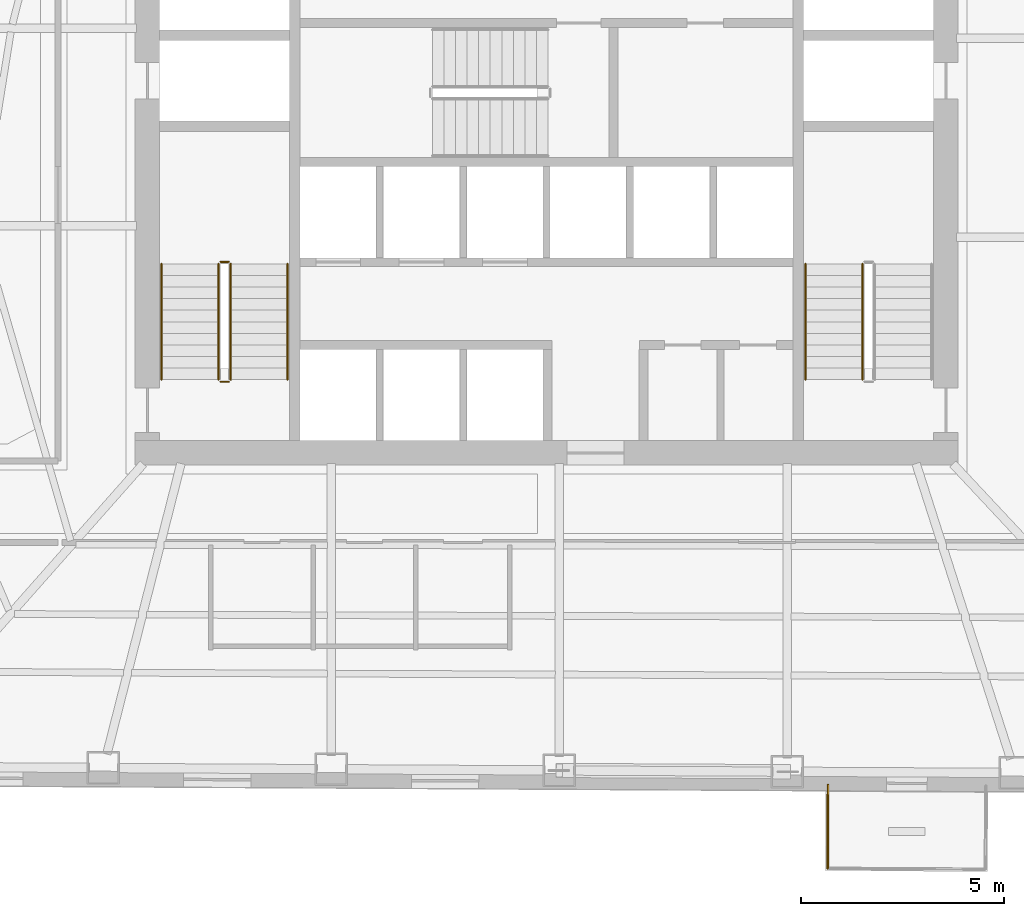
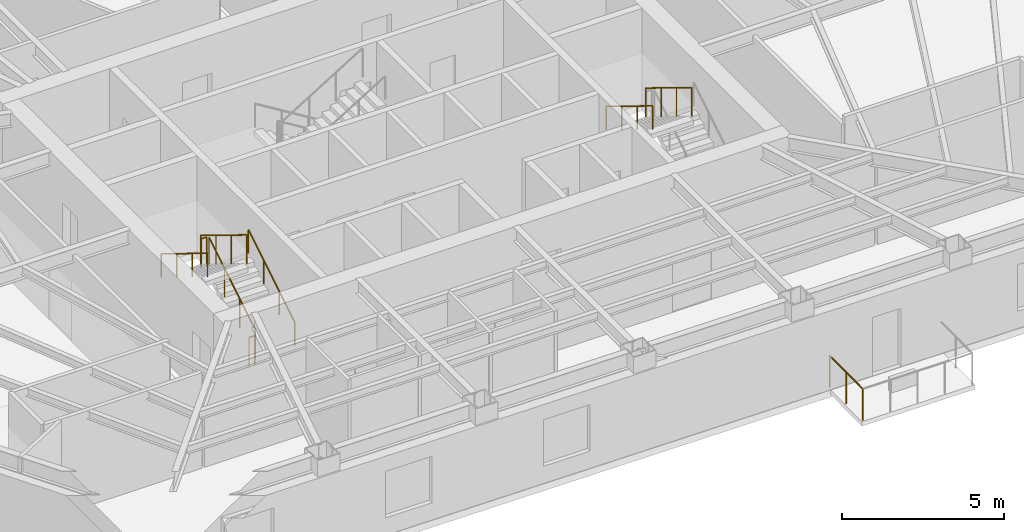
# One storey, part 9 of 12: 9 railings.
"""IFC4 building model written with IfcOpenShell, lengths in metres."""

from ifc_helpers import new_model, si_unit, direction, frame, origin, origin_2d, place, context, subcontext, project, spatial, circle, extrude, material, type_object, element, save


model = new_model("IFC4")

# Units and contexts
model_context = context("Model", 3, precision=1e-05, world=origin(), true_north=direction((0.0, 1.0)))
body_context = subcontext(model_context, "Body", "Model", "MODEL_VIEW")
ifc_project = project(units=[si_unit("LENGTHUNIT", "METRE"), si_unit("AREAUNIT", "SQUARE_METRE"), si_unit("VOLUMEUNIT", "CUBIC_METRE"), si_unit("PLANEANGLEUNIT", "RADIAN"), si_unit("MASSUNIT", "GRAM", prefix="KILO")], contexts=[model_context])

# Site, building, storey
site_placement = place(None, origin())
site = spatial("IfcSite", under=ifc_project, at=site_placement, CompositionType="ELEMENT")
building_placement = place(site_placement, origin())
building = spatial("IfcBuilding", under=site, at=building_placement, Name="Kavelnor Concourse Tower", CompositionType="ELEMENT")
storey_placement = place(building_placement, frame((0.0, 0.0, 40.64990234375)))
storey = spatial("IfcBuildingStorey", under=building, at=storey_placement, Name="L10", CompositionType="ELEMENT", Elevation=40.64990234375)

# Railings
ifc_material_1 = material(Name="Steel Grade 350", Category="steel")
railing_type_1 = type_object("IfcRailingType", Name="RLG-GUARD-1100", PredefinedType="GUARDRAIL", material=ifc_material_1)
railing_1_placement = place(storey_placement, frame((30.22998046875, 11.10009765625, 0.175048828125)))
element("IfcRailing", 1, at=railing_1_placement, inside=storey, type_object=railing_type_1, Name="L10 ST1 stair guard 1", PredefinedType="GUARDRAIL", context=body_context, shape_type="SweptSolid", body=[
    extrude(circle(Radius=0.02392578125, at=origin_2d()), frame((0.0, 0.0, 1.076171875), z_axis=(0.0, 0.852159232446, 0.523282564737), x_axis=(-1.0, 0.0, 0.0)), (0.0, 0.0, 1.0), 3.34423828125),
    extrude(circle(Radius=0.02099609375, at=origin_2d()), origin(), (0.0, 0.0, 1.0), 1.052001953125),
    extrude(circle(Radius=0.02099609375, at=origin_2d()), frame((0.0, 0.949951171875, 0.583251953125)), (0.0, 0.0, 1.0), 1.052001953125),
    extrude(circle(Radius=0.02099609375, at=origin_2d()), frame((0.0, 1.89990234375, 1.166748046875)), (0.0, 0.0, 1.0), 1.052001953125),
    extrude(circle(Radius=0.02099609375, at=origin_2d()), frame((0.0, 2.849853515625, 1.75)), (0.0, 0.0, 1.0), 1.052001953125),
])
railing_2_placement = place(storey_placement, frame((30.179931640625, 14.0, 1.925048828125)))
element("IfcRailing", 2, at=railing_2_placement, inside=storey, type_object=railing_type_1, Name="L10 ST1 stair guard 2", PredefinedType="GUARDRAIL", context=body_context, shape_type="SweptSolid", body=[
    extrude(circle(Radius=0.02392578125, at=origin_2d()), frame((0.0, 0.0, 1.076171875), z_axis=(-1.0, 0.0, 0.0), x_axis=(0.0, -1.0, 0.0)), (0.0, 0.0, 1.0), 0.199951171875),
    extrude(circle(Radius=0.02099609375, at=origin_2d()), origin(), (0.0, 0.0, 1.0), 1.052001953125),
    extrude(circle(Radius=0.02099609375, at=origin_2d()), frame((-0.199951171875, 0.0, 0.0)), (0.0, 0.0, 1.0), 1.052001953125),
])
railing_3_placement = place(storey_placement, frame((29.929931640625, 13.949951171875, 2.10009765625)))
element("IfcRailing", 3, at=railing_3_placement, inside=storey, type_object=railing_type_1, Name="L10 ST1 stair guard 3", PredefinedType="GUARDRAIL", context=body_context, shape_type="SweptSolid", body=[
    extrude(circle(Radius=0.02392578125, at=origin_2d()), frame((0.0, 0.0, 1.076171875), z_axis=(0.0, -0.852159232446, 0.523282564737), x_axis=(1.0, 0.0, 0.0)), (0.0, 0.0, 1.0), 3.34423828125),
    extrude(circle(Radius=0.02099609375, at=origin_2d()), origin(), (0.0, 0.0, 1.0), 1.052001953125),
    extrude(circle(Radius=0.02099609375, at=origin_2d()), frame((0.0, -0.949951171875, 0.583251953125)), (0.0, 0.0, 1.0), 1.052001953125),
    extrude(circle(Radius=0.02099609375, at=origin_2d()), frame((0.0, -1.89990234375, 1.166748046875)), (0.0, 0.0, 1.0), 1.052001953125),
    extrude(circle(Radius=0.02099609375, at=origin_2d()), frame((0.0, -2.849853515625, 1.75)), (0.0, 0.0, 1.0), 1.052001953125),
])
railing_4_placement = place(storey_placement, frame((30.179931640625, 11.050048828125, 0.0)))
element("IfcRailing", 4, at=railing_4_placement, inside=storey, type_object=railing_type_1, Name="L10 ST1 stair guard 4", PredefinedType="GUARDRAIL", context=body_context, shape_type="SweptSolid", body=[
    extrude(circle(Radius=0.02392578125, at=origin_2d()), frame((0.0, 0.0, 1.076171875), z_axis=(-1.0, 0.0, 0.0), x_axis=(0.0, -1.0, 0.0)), (0.0, 0.0, 1.0), 0.199951171875),
    extrude(circle(Radius=0.02099609375, at=origin_2d()), origin(), (0.0, 0.0, 1.0), 1.052001953125),
    extrude(circle(Radius=0.02099609375, at=origin_2d()), frame((-0.199951171875, 0.0, 0.0)), (0.0, 0.0, 1.0), 1.052001953125),
])
railing_5_placement = place(storey_placement, frame((45.77001953125, 13.949951171875, 2.10009765625)))
element("IfcRailing", 5, at=railing_5_placement, inside=storey, type_object=railing_type_1, Name="L10 ST2 stair guard 3", PredefinedType="GUARDRAIL", context=body_context, shape_type="SweptSolid", body=[
    extrude(circle(Radius=0.02392578125, at=origin_2d()), frame((0.0, 0.0, 1.076171875), z_axis=(0.0, -0.852159232446, 0.523282564737), x_axis=(1.0, 0.0, 0.0)), (0.0, 0.0, 1.0), 3.34423828125),
    extrude(circle(Radius=0.02099609375, at=origin_2d()), origin(), (0.0, 0.0, 1.0), 1.052001953125),
    extrude(circle(Radius=0.02099609375, at=origin_2d()), frame((0.0, -0.949951171875, 0.583251953125)), (0.0, 0.0, 1.0), 1.052001953125),
    extrude(circle(Radius=0.02099609375, at=origin_2d()), frame((0.0, -1.89990234375, 1.166748046875)), (0.0, 0.0, 1.0), 1.052001953125),
    extrude(circle(Radius=0.02099609375, at=origin_2d()), frame((0.0, -2.849853515625, 1.75)), (0.0, 0.0, 1.0), 1.052001953125),
])
railing_type_2 = type_object("IfcRailingType", Name="RLG-HANDRAIL-900", PredefinedType="HANDRAIL", material=ifc_material_1)
railing_6_placement = place(storey_placement, frame((31.6298828125, 11.10009765625, 0.175048828125)))
element("IfcRailing", 6, at=railing_6_placement, inside=storey, type_object=railing_type_2, Name="L10 ST1 stair handrail 1", PredefinedType="HANDRAIL", context=body_context, shape_type="SweptSolid", body=[
    extrude(circle(Radius=0.02392578125, at=origin_2d()), frame((0.0, 0.0, 0.8759765625), z_axis=(0.0, 0.852159232446, 0.523282564737), x_axis=(-1.0, 0.0, 0.0)), (0.0, 0.0, 1.0), 3.34423828125),
    extrude(circle(Radius=0.02099609375, at=origin_2d()), origin(), (0.0, 0.0, 1.0), 0.851806640625),
    extrude(circle(Radius=0.02099609375, at=origin_2d()), frame((0.0, 0.949951171875, 0.583251953125)), (0.0, 0.0, 1.0), 0.851806640625),
    extrude(circle(Radius=0.02099609375, at=origin_2d()), frame((0.0, 1.89990234375, 1.166748046875)), (0.0, 0.0, 1.0), 0.851806640625),
    extrude(circle(Radius=0.02099609375, at=origin_2d()), frame((0.0, 2.849853515625, 1.75)), (0.0, 0.0, 1.0), 0.851806640625),
])
for number, where, name in (
    (7, (28.530029296875, 13.949951171875, 2.10009765625), "L10 ST1 stair handrail 2"),
    (8, (44.3701171875, 13.949951171875, 2.10009765625), "L10 ST2 stair handrail 2"),
):
    element("IfcRailing", number, at=place(storey_placement, frame(where)), inside=storey, type_object=railing_type_2, Name=name, PredefinedType="HANDRAIL", context=body_context, shape_type="SweptSolid", body=[
        extrude(circle(Radius=0.02392578125, at=origin_2d()), frame((0.0, 0.0, 0.8759765625), z_axis=(0.0, -0.852159232446, 0.523282564737), x_axis=(1.0, 0.0, 0.0)), (0.0, 0.0, 1.0), 3.34423828125),
        extrude(circle(Radius=0.02099609375, at=origin_2d()), origin(), (0.0, 0.0, 1.0), 0.851806640625),
        extrude(circle(Radius=0.02099609375, at=origin_2d()), frame((0.0, -0.949951171875, 0.583251953125)), (0.0, 0.0, 1.0), 0.851806640625),
        extrude(circle(Radius=0.02099609375, at=origin_2d()), frame((0.0, -1.89990234375, 1.166748046875)), (0.0, 0.0, 1.0), 0.851806640625),
        extrude(circle(Radius=0.02099609375, at=origin_2d()), frame((0.0, -2.849853515625, 1.75)), (0.0, 0.0, 1.0), 0.851806640625),
    ])
ifc_material_2 = material(Name="Architectural bronze-anodised aluminium", Category="aluminium")
railing_type_3 = type_object("IfcRailingType", Name="RLG-TERRACE-1200", PredefinedType="BALUSTRADE", material=ifc_material_2)
railing_7_placement = place(storey_placement, frame((44.923095703125, 1.133056640625, 0.0)))
element("IfcRailing", 9, at=railing_7_placement, inside=storey, type_object=railing_type_3, Name="L10 Tree Balcony 1 Guardrail L", PredefinedType="BALUSTRADE", context=body_context, shape_type="SweptSolid", body=[
    extrude(circle(Radius=0.02392578125, at=origin_2d()), frame((0.0, 0.0, 1.17578125), z_axis=(-0.005478064759, -0.999984995291, 0.0), x_axis=(0.999984995291, -0.005478064759, 0.0)), (0.0, 0.0, 1.0), 2.050048828125),
    extrude(circle(Radius=0.02099609375, at=origin_2d()), origin(), (0.0, 0.0, 1.0), 1.15185546875),
    extrude(circle(Radius=0.02099609375, at=origin_2d()), frame((-0.005615234375, -1.02490234375, 0.0)), (0.0, 0.0, 1.0), 1.15185546875),
    extrude(circle(Radius=0.02099609375, at=origin_2d()), frame((-0.01123046875, -2.050048828125, 0.0)), (0.0, 0.0, 1.0), 1.15185546875),
])

save(model, "model.ifc")
